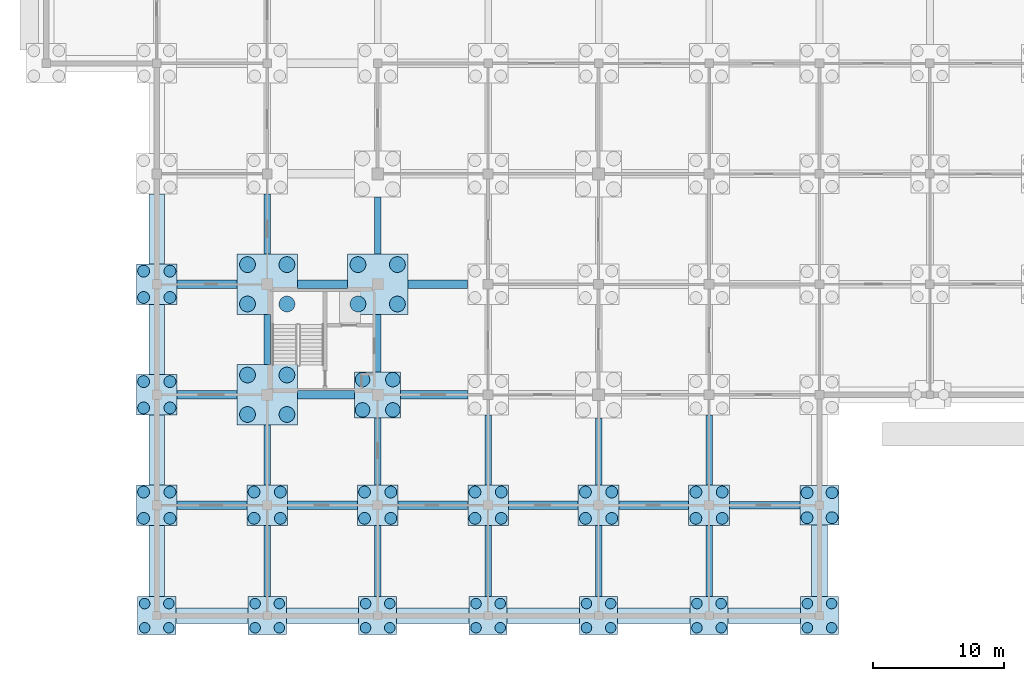
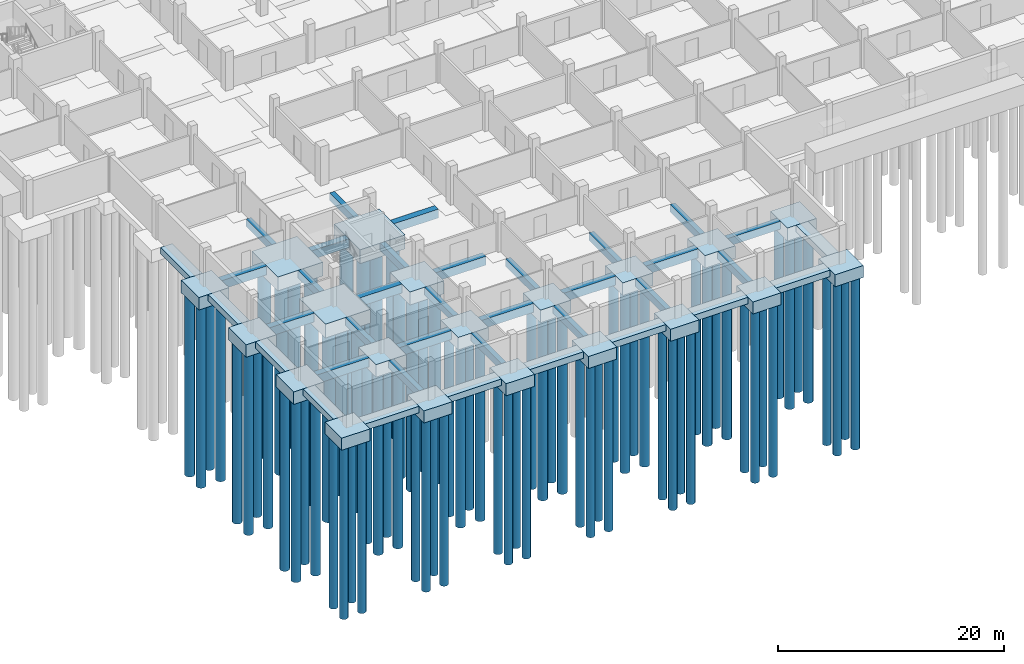
# One storey, part 1 of 43: 80 piles, 57 footings.
"""IFC4 building model written with IfcOpenShell, lengths in metres."""

import ifcopenshell
import ifcopenshell.guid

model = None  # the IFC model being written
_history = None  # IfcOwnerHistory: only IFC2X3 demands one
_inside = {}  # id of a spatial element -> (the spatial element, [elements in it])
_under = {}  # id of a project, library or spatial element -> (it, [spatial elements below it])
_declared = {}  # id of a project -> (the project, [libraries it declares])
_typed = {}  # id of a type object -> (the type object, [elements of that type])
_made_of = {}  # id of a material, layer set ... -> (it, [elements and type objects made of it])


def new_model(schema):
    """Start an empty IFC model of exactly this schema.

    Asked for "IFC4X3", IfcOpenShell would pick the latest addendum, in which some entities
    have other attributes; the version numbers below select the first issue.
    IFC2X3 requires an IfcOwnerHistory on every rooted entity: one is made here for all.
    """
    global model, _history
    if schema == "IFC4X3":
        model = ifcopenshell.file(schema_version=(4, 3, 0, 0))
    else:
        model = ifcopenshell.file(schema=schema)
    _inside.clear()
    _under.clear()
    _declared.clear()
    _typed.clear()
    _made_of.clear()
    _history = None
    if model.schema == "IFC2X3":
        org = make("IfcOrganization", Name="unknown")
        user = make(
            "IfcPersonAndOrganization",
            ThePerson=make("IfcPerson", FamilyName="unknown"),
            TheOrganization=org,
        )
        app = make(
            "IfcApplication",
            ApplicationDeveloper=org,
            Version="unknown",
            ApplicationFullName="unknown",
            ApplicationIdentifier="unknown",
        )
        _history = make(
            "IfcOwnerHistory",
            OwningUser=user,
            OwningApplication=app,
            ChangeAction="ADDED",
            CreationDate=0,
        )
    return model


def make(cls, **values):
    """One entity of the class cls with the attributes given. An attribute that is None is left unset."""
    return model.create_entity(
        cls, **{name: value for name, value in values.items() if value is not None}
    )


def rooted(cls, **values):
    """An entity with a GlobalId (a new one), such as an element, a storey or a relation."""
    return make(cls, GlobalId=ifcopenshell.guid.new(), OwnerHistory=_history, **values)


def si_unit(unit_type, name, prefix=None):
    """IfcSIUnit, for example si_unit("LENGTHUNIT", "METRE", prefix="MILLI")."""
    return make("IfcSIUnit", UnitType=unit_type, Prefix=prefix, Name=name)


def assignment(units):
    """IfcUnitAssignment: the units of a project."""
    return None if units is None else make("IfcUnitAssignment", Units=units)


def point(xyz):
    """IfcCartesianPoint."""
    return None if xyz is None else make("IfcCartesianPoint", Coordinates=xyz)


def direction(xyz):
    """IfcDirection."""
    return None if xyz is None else make("IfcDirection", DirectionRatios=xyz)


def frame(location, z_axis=None, x_axis=None):
    """IfcAxis2Placement3D, a coordinate frame: its origin and axes. An axis left out is left unset."""
    return make(
        "IfcAxis2Placement3D",
        Location=point(location),
        Axis=direction(z_axis),
        RefDirection=direction(x_axis),
    )


def frame_2d(location, x_axis=None):
    """IfcAxis2Placement2D, a coordinate frame in the plane: its origin and x axis."""
    return make(
        "IfcAxis2Placement2D", Location=point(location), RefDirection=direction(x_axis)
    )


def origin():
    """The frame at (0, 0, 0) with its axes left unset."""
    return frame((0.0, 0.0, 0.0))


def origin_2d():
    """The frame at (0, 0) in the plane with its x axis left unset."""
    return frame_2d((0.0, 0.0))


def place(relative_to, where):
    """IfcLocalPlacement: puts the frame where relative to a parent placement (None: the world)."""
    return make(
        "IfcLocalPlacement", PlacementRelTo=relative_to, RelativePlacement=where
    )


def context(
    kind, dimensions, precision=None, world=None, true_north=None, identifier=None
):
    """IfcGeometricRepresentationContext, for example the 3D "Model" context."""
    return make(
        "IfcGeometricRepresentationContext",
        ContextIdentifier=identifier,
        ContextType=kind,
        CoordinateSpaceDimension=dimensions,
        Precision=precision,
        WorldCoordinateSystem=world,
        TrueNorth=true_north,
    )


def subcontext(parent, identifier, kind, view, scale=None):
    """IfcGeometricRepresentationSubContext, for example "Body" below "Model"."""
    return make(
        "IfcGeometricRepresentationSubContext",
        ContextIdentifier=identifier,
        ContextType=kind,
        ParentContext=parent,
        TargetScale=scale,
        TargetView=view,
    )


def project(units=None, contexts=None):
    """IfcProject with its units and contexts."""
    return rooted(
        "IfcProject",
        Name="project",
        RepresentationContexts=contexts,
        UnitsInContext=assignment(units),
    )


def spatial(cls, under=None, at=None, **own):
    """A site, building, storey or space (cls), placed at a placement, below another one or the project."""
    s = rooted(cls, ObjectPlacement=at, **own)
    if under is not None:
        _under.setdefault(under.id(), (under, []))[1].append(s)
    return s


def profile(cls, at=None, kind="AREA", **sizes):
    """A parametric profile (cls). Its sizes go by their IFC names, for example OverallWidth=200.0."""
    return make(cls, ProfileType=kind, Position=at, **sizes)


def rectangle(**sizes):
    """IfcRectangleProfileDef."""
    return profile("IfcRectangleProfileDef", **sizes)


def circle(**sizes):
    """IfcCircleProfileDef."""
    return profile("IfcCircleProfileDef", **sizes)


def extrude(swept, where, along, depth):
    """IfcExtrudedAreaSolid: the profile swept, set in the frame where, extruded along a direction by depth."""
    return make(
        "IfcExtrudedAreaSolid",
        SweptArea=swept,
        Position=where,
        ExtrudedDirection=direction(along),
        Depth=depth,
    )


def shape(context_of_items, identifier, shape_type, items):
    """IfcShapeRepresentation: the items that make up one representation, for example the "Body"."""
    return make(
        "IfcShapeRepresentation",
        ContextOfItems=context_of_items,
        RepresentationIdentifier=identifier,
        RepresentationType=shape_type,
        Items=items,
    )


def material(Name=None, Category=None):
    """IfcMaterial."""
    return make("IfcMaterial", Name=Name, Category=Category)


def material_profile(
    of_material, cross_section, Name=None, Category=None, Priority=None
):
    """IfcMaterialProfile: a cross section and its material."""
    return make(
        "IfcMaterialProfile",
        Name=Name,
        Material=of_material,
        Profile=cross_section,
        Priority=Priority,
        Category=Category,
    )


def profile_set(profiles, Name=None, composite=None):
    """IfcMaterialProfileSet."""
    return make(
        "IfcMaterialProfileSet",
        Name=Name,
        MaterialProfiles=profiles,
        CompositeProfile=composite,
    )


def made_of(thing, what):
    """Note that an element or type object is made of a material, layer set ...; save() writes the relation."""
    if what is not None:
        _made_of.setdefault(what.id(), (what, []))[1].append(thing)
    return thing


def type_object(cls, material=None, **own):
    """A type object (cls), such as IfcWallType, which elements share."""
    return made_of(rooted(cls, **own), material)


def element(
    cls,
    number,
    at=None,
    inside=None,
    cuts=None,
    type_object=None,
    material=None,
    context=None,
    identifier="Body",
    shape_type=None,
    held_by="IfcProductDefinitionShape",
    body=None,
    shapes=None,
    **own,
):
    """One element of the class cls, such as IfcWall. Its Tag is "e" and its number.

    at: its placement. inside: the storey or other place that contains it. cuts: it is an
    opening in that element (IfcRelVoidsElement). A single representation is given by context,
    identifier, shape_type and body (its items); several are given by shapes. held_by: the class
    of the entity that holds the representations. save() writes the other relations.
    """
    e = rooted(cls, Tag="e%d" % number, ObjectPlacement=at, **own)
    if body is not None:
        shapes = [shape(context, identifier, shape_type, body)]
    if shapes is not None:
        e.Representation = make(held_by, Representations=shapes)
    if inside is not None:
        _inside.setdefault(inside.id(), (inside, []))[1].append(e)
    if cuts is not None:
        rooted(
            "IfcRelVoidsElement", RelatingBuildingElement=cuts, RelatedOpeningElement=e
        )
    if type_object is not None:
        _typed.setdefault(type_object.id(), (type_object, []))[1].append(e)
    return made_of(e, material)


def aggregate(whole, parts):
    """IfcRelAggregates: a whole, such as a stair, and the parts it consists of."""
    return rooted("IfcRelAggregates", RelatingObject=whole, RelatedObjects=parts)


def save(model, path):
    """Write the relations noted so far, then the file.

    IfcRelAggregates (storeys below a building ...), IfcRelContainedInSpatialStructure (elements
    in a storey), IfcRelDefinesByType, IfcRelAssociatesMaterial and IfcRelDeclares: one each for
    every whole, place, type object, material and project.
    """
    for whole, parts in _under.values():
        aggregate(whole, parts)
    for where, things in _inside.values():
        rooted(
            "IfcRelContainedInSpatialStructure",
            RelatedElements=things,
            RelatingStructure=where,
        )
    for kind, things in _typed.values():
        rooted("IfcRelDefinesByType", RelatedObjects=things, RelatingType=kind)
    for what, things in _made_of.values():
        rooted("IfcRelAssociatesMaterial", RelatedObjects=things, RelatingMaterial=what)
    for by, libraries in _declared.values():
        rooted("IfcRelDeclares", RelatingContext=by, RelatedDefinitions=libraries)
    model.write(path)


model = new_model("IFC4")

# Units and contexts
model_context = context("Model", 3, precision=1e-05, world=origin(), true_north=direction((0.0, 1.0)))
body_context = subcontext(model_context, "Body", "Model", "MODEL_VIEW")
ifc_project = project(units=[si_unit("LENGTHUNIT", "METRE"), si_unit("AREAUNIT", "SQUARE_METRE"), si_unit("VOLUMEUNIT", "CUBIC_METRE"), si_unit("PLANEANGLEUNIT", "RADIAN"), si_unit("MASSUNIT", "GRAM", prefix="KILO")], contexts=[model_context])

# Site, building, storey
site_placement = place(None, origin())
site = spatial("IfcSite", under=ifc_project, at=site_placement, CompositionType="ELEMENT")
building_placement = place(site_placement, origin())
building = spatial("IfcBuilding", under=site, at=building_placement, Name="Varnapada Polytechnic", CompositionType="ELEMENT")
storey_placement = place(building_placement, frame((0.0, 0.0, -4.199951171875)))
storey = spatial("IfcBuildingStorey", under=building, at=storey_placement, Name="B1", CompositionType="ELEMENT", Elevation=-4.199951171875)

# Piles
ifc_material = material(Name="Concrete C40/50", Category="concrete")
ifc_material_profile_1 = material_profile(ifc_material, circle(Radius=0.550048828125, at=origin_2d()), Name="BP 1100")
ifc_profile_set_1 = profile_set([ifc_material_profile_1], Name="Concrete C40/50")
pile_type_1 = type_object("IfcPileType", Name="Bored Pile BP 1100", PredefinedType="BORED", material=ifc_profile_set_1)
for number, where, z_axis, x_axis, name in (
    (1, (24.050048828125, 15.64990234375, -1.300048828125), (0.0, 0.0, -1.0), (1.0, 0.0, 0.0), "Bored pile P-04 under CAP-03-02 (1)"),
    (2, (26.35009765625, 15.64990234375, -1.300048828125), (0.0, 0.0, -1.0), (1.0, 0.0, 0.0), "Bored pile P-04 under CAP-03-02 (2)"),
    (3, (24.050048828125, 17.949951171875, -1.300048828125), (0.0, 0.0, -1.0), (1.0, 0.0, 0.0), "Bored pile P-04 under CAP-03-02 (3)"),
    (4, (26.35009765625, 17.949951171875, -1.300048828125), (0.0, 0.0, -1.0), (1.0, 0.0, 0.0), "Bored pile P-04 under CAP-03-02 (4)"),
):
    element("IfcPile", number, at=place(storey_placement, frame(where, z_axis=z_axis, x_axis=x_axis)), inside=storey, type_object=pile_type_1, Name=name, PredefinedType="BORED", context=body_context, shape_type="SweptSolid", body=[
        extrude(circle(Radius=0.550048828125, at=origin_2d()), origin(), (0.0, 0.0, 1.0), 20.5),
    ])
ifc_material_profile_2 = material_profile(ifc_material, circle(Radius=0.60009765625, at=origin_2d()), Name="BP 1200")
ifc_profile_set_2 = profile_set([ifc_material_profile_2], Name="Concrete C40/50")
pile_type_2 = type_object("IfcPileType", Name="Bored Pile BP 1200", PredefinedType="BORED", material=ifc_profile_set_2)
for number, where, z_axis, x_axis, name in (
    (5, (15.300048828125, 15.300048828125, -1.400146484375), (0.0, 0.0, -1.0), (1.0, 0.0, 0.0), "Bored pile P-06 under CAP-02-02 (1)"),
    (6, (18.300048828125, 15.300048828125, -1.400146484375), (0.0, 0.0, -1.0), (1.0, 0.0, 0.0), "Bored pile P-06 under CAP-02-02 (2)"),
    (7, (15.300048828125, 18.300048828125, -1.400146484375), (0.0, 0.0, -1.0), (1.0, 0.0, 0.0), "Bored pile P-06 under CAP-02-02 (3)"),
    (8, (18.300048828125, 18.300048828125, -1.400146484375), (0.0, 0.0, -1.0), (1.0, 0.0, 0.0), "Bored pile P-06 under CAP-02-02 (4)"),
    (9, (15.300048828125, 23.699951171875, -1.400146484375), (0.0, 0.0, -1.0), (1.0, 0.0, 0.0), "Bored pile P-06 under CAP-02-03 (1)"),
    (10, (18.300048828125, 23.699951171875, -1.400146484375), (0.0, 0.0, -1.0), (1.0, 0.0, 0.0), "Bored pile P-06 under CAP-02-03 (2)"),
    (11, (15.300048828125, 26.699951171875, -1.400146484375), (0.0, 0.0, -1.0), (1.0, 0.0, 0.0), "Bored pile P-06 under CAP-02-03 (3)"),
    (12, (18.300048828125, 26.699951171875, -1.400146484375), (0.0, 0.0, -1.0), (1.0, 0.0, 0.0), "Bored pile P-06 under CAP-02-03 (4)"),
    (13, (23.699951171875, 23.699951171875, -1.400146484375), (0.0, 0.0, -1.0), (1.0, 0.0, 0.0), "Bored pile P-06 under CAP-03-03 (1)"),
    (14, (26.699951171875, 23.699951171875, -1.400146484375), (0.0, 0.0, -1.0), (1.0, 0.0, 0.0), "Bored pile P-06 under CAP-03-03 (2)"),
    (15, (23.699951171875, 26.699951171875, -1.400146484375), (0.0, 0.0, -1.0), (1.0, 0.0, 0.0), "Bored pile P-06 under CAP-03-03 (3)"),
    (16, (26.699951171875, 26.699951171875, -1.400146484375), (0.0, 0.0, -1.0), (1.0, 0.0, 0.0), "Bored pile P-06 under CAP-03-03 (4)"),
):
    element("IfcPile", number, at=place(storey_placement, frame(where, z_axis=z_axis, x_axis=x_axis)), inside=storey, type_object=pile_type_2, Name=name, PredefinedType="BORED", context=body_context, shape_type="SweptSolid", body=[
        extrude(circle(Radius=0.60009765625, at=origin_2d()), origin(), (0.0, 0.0, 1.0), 20.39990234375),
    ])
ifc_material_profile_3 = material_profile(ifc_material, circle(Radius=0.39990234375, at=origin_2d()), Name="BP 800")
ifc_profile_set_3 = profile_set([ifc_material_profile_3], Name="Concrete C40/50")
pile_type_3 = type_object("IfcPileType", Name="Bored Pile BP 800", PredefinedType="BORED", material=ifc_profile_set_3)
for number, where, z_axis, x_axis, name in (
    (17, (7.47998046875, -0.919921875, -1.199951171875), (0.0, 0.0, -1.0), (1.0, 0.0, 0.0), "Bored pile P-03 under CAP-01-00 (1)"),
    (18, (9.320068359375, -0.919921875, -1.199951171875), (0.0, 0.0, -1.0), (1.0, 0.0, 0.0), "Bored pile P-03 under CAP-01-00 (2)"),
    (19, (7.47998046875, 0.919921875, -1.199951171875), (0.0, 0.0, -1.0), (1.0, 0.0, 0.0), "Bored pile P-03 under CAP-01-00 (3)"),
    (20, (9.320068359375, 0.919921875, -1.199951171875), (0.0, 0.0, -1.0), (1.0, 0.0, 0.0), "Bored pile P-03 under CAP-01-00 (4)"),
    (21, (15.8798828125, -0.919921875, -1.199951171875), (0.0, 0.0, -1.0), (1.0, 0.0, 0.0), "Bored pile P-03 under CAP-02-00 (1)"),
    (22, (17.719970703125, -0.919921875, -1.199951171875), (0.0, 0.0, -1.0), (1.0, 0.0, 0.0), "Bored pile P-03 under CAP-02-00 (2)"),
    (23, (15.8798828125, 0.919921875, -1.199951171875), (0.0, 0.0, -1.0), (1.0, 0.0, 0.0), "Bored pile P-03 under CAP-02-00 (3)"),
    (24, (17.719970703125, 0.919921875, -1.199951171875), (0.0, 0.0, -1.0), (1.0, 0.0, 0.0), "Bored pile P-03 under CAP-02-00 (4)"),
    (25, (24.280029296875, -0.919921875, -1.199951171875), (0.0, 0.0, -1.0), (1.0, 0.0, 0.0), "Bored pile P-03 under CAP-03-00 (1)"),
    (26, (26.1201171875, -0.919921875, -1.199951171875), (0.0, 0.0, -1.0), (1.0, 0.0, 0.0), "Bored pile P-03 under CAP-03-00 (2)"),
    (27, (24.280029296875, 0.919921875, -1.199951171875), (0.0, 0.0, -1.0), (1.0, 0.0, 0.0), "Bored pile P-03 under CAP-03-00 (3)"),
    (28, (26.1201171875, 0.919921875, -1.199951171875), (0.0, 0.0, -1.0), (1.0, 0.0, 0.0), "Bored pile P-03 under CAP-03-00 (4)"),
    (29, (32.679931640625, -0.919921875, -1.199951171875), (0.0, 0.0, -1.0), (1.0, 0.0, 0.0), "Bored pile P-03 under CAP-04-00 (1)"),
    (30, (34.52001953125, -0.919921875, -1.199951171875), (0.0, 0.0, -1.0), (1.0, 0.0, 0.0), "Bored pile P-03 under CAP-04-00 (2)"),
    (31, (32.679931640625, 0.919921875, -1.199951171875), (0.0, 0.0, -1.0), (1.0, 0.0, 0.0), "Bored pile P-03 under CAP-04-00 (3)"),
    (32, (34.52001953125, 0.919921875, -1.199951171875), (0.0, 0.0, -1.0), (1.0, 0.0, 0.0), "Bored pile P-03 under CAP-04-00 (4)"),
    (33, (41.080078125, -0.919921875, -1.199951171875), (0.0, 0.0, -1.0), (1.0, 0.0, 0.0), "Bored pile P-03 under CAP-05-00 (1)"),
    (34, (42.919921875, -0.919921875, -1.199951171875), (0.0, 0.0, -1.0), (1.0, 0.0, 0.0), "Bored pile P-03 under CAP-05-00 (2)"),
    (35, (41.080078125, 0.919921875, -1.199951171875), (0.0, 0.0, -1.0), (1.0, 0.0, 0.0), "Bored pile P-03 under CAP-05-00 (3)"),
    (36, (42.919921875, 0.919921875, -1.199951171875), (0.0, 0.0, -1.0), (1.0, 0.0, 0.0), "Bored pile P-03 under CAP-05-00 (4)"),
    (37, (49.47998046875, -0.919921875, -1.199951171875), (0.0, 0.0, -1.0), (1.0, 0.0, 0.0), "Bored pile P-03 under CAP-06-00 (1)"),
    (38, (51.320068359375, -0.919921875, -1.199951171875), (0.0, 0.0, -1.0), (1.0, 0.0, 0.0), "Bored pile P-03 under CAP-06-00 (2)"),
    (39, (49.47998046875, 0.919921875, -1.199951171875), (0.0, 0.0, -1.0), (1.0, 0.0, 0.0), "Bored pile P-03 under CAP-06-00 (3)"),
    (40, (51.320068359375, 0.919921875, -1.199951171875), (0.0, 0.0, -1.0), (1.0, 0.0, 0.0), "Bored pile P-03 under CAP-06-00 (4)"),
    (41, (57.8798828125, -0.919921875, -1.199951171875), (0.0, 0.0, -1.0), (1.0, 0.0, 0.0), "Bored pile P-03 under CAP-07-00 (1)"),
    (42, (59.719970703125, -0.919921875, -1.199951171875), (0.0, 0.0, -1.0), (1.0, 0.0, 0.0), "Bored pile P-03 under CAP-07-00 (2)"),
    (43, (57.8798828125, 0.919921875, -1.199951171875), (0.0, 0.0, -1.0), (1.0, 0.0, 0.0), "Bored pile P-03 under CAP-07-00 (3)"),
    (44, (59.719970703125, 0.919921875, -1.199951171875), (0.0, 0.0, -1.0), (1.0, 0.0, 0.0), "Bored pile P-03 under CAP-07-00 (4)"),
):
    element("IfcPile", number, at=place(storey_placement, frame(where, z_axis=z_axis, x_axis=x_axis)), inside=storey, type_object=pile_type_3, Name=name, PredefinedType="BORED", context=body_context, shape_type="SweptSolid", body=[
        extrude(circle(Radius=0.39990234375, at=origin_2d()), origin(), (0.0, 0.0, 1.0), 18.60009765625),
    ])
ifc_material_profile_4 = material_profile(ifc_material, circle(Radius=0.449951171875, at=origin_2d()), Name="BP 900")
ifc_profile_set_4 = profile_set([ifc_material_profile_4], Name="Concrete C40/50")
pile_type_4 = type_object("IfcPileType", Name="Bored Pile BP 900", PredefinedType="BORED", material=ifc_profile_set_4)
for number, where, z_axis, x_axis, name in (
    (45, (7.39990234375, 7.39990234375, -1.25), (0.0, 0.0, -1.0), (1.0, 0.0, 0.0), "Bored pile P-02 under CAP-01-01 (1)"),
    (46, (9.39990234375, 7.39990234375, -1.25), (0.0, 0.0, -1.0), (1.0, 0.0, 0.0), "Bored pile P-02 under CAP-01-01 (2)"),
    (47, (7.39990234375, 9.39990234375, -1.25), (0.0, 0.0, -1.0), (1.0, 0.0, 0.0), "Bored pile P-02 under CAP-01-01 (3)"),
    (48, (9.39990234375, 9.39990234375, -1.25), (0.0, 0.0, -1.0), (1.0, 0.0, 0.0), "Bored pile P-02 under CAP-01-01 (4)"),
    (49, (7.39990234375, 15.800048828125, -1.25), (0.0, 0.0, -1.0), (1.0, 0.0, 0.0), "Bored pile P-02 under CAP-01-02 (1)"),
    (50, (9.39990234375, 15.800048828125, -1.25), (0.0, 0.0, -1.0), (1.0, 0.0, 0.0), "Bored pile P-02 under CAP-01-02 (2)"),
    (51, (7.39990234375, 17.800048828125, -1.25), (0.0, 0.0, -1.0), (1.0, 0.0, 0.0), "Bored pile P-02 under CAP-01-02 (3)"),
    (52, (9.39990234375, 17.800048828125, -1.25), (0.0, 0.0, -1.0), (1.0, 0.0, 0.0), "Bored pile P-02 under CAP-01-02 (4)"),
    (53, (7.39990234375, 24.199951171875, -1.25), (0.0, 0.0, -1.0), (1.0, 0.0, 0.0), "Bored pile P-02 under CAP-01-03 (1)"),
    (54, (9.39990234375, 24.199951171875, -1.25), (0.0, 0.0, -1.0), (1.0, 0.0, 0.0), "Bored pile P-02 under CAP-01-03 (2)"),
    (55, (7.39990234375, 26.199951171875, -1.25), (0.0, 0.0, -1.0), (1.0, 0.0, 0.0), "Bored pile P-02 under CAP-01-03 (3)"),
    (56, (9.39990234375, 26.199951171875, -1.25), (0.0, 0.0, -1.0), (1.0, 0.0, 0.0), "Bored pile P-02 under CAP-01-03 (4)"),
    (57, (15.800048828125, 7.39990234375, -1.25), (0.0, 0.0, -1.0), (1.0, 0.0, 0.0), "Bored pile P-02 under CAP-02-01 (1)"),
    (58, (17.800048828125, 7.39990234375, -1.25), (0.0, 0.0, -1.0), (1.0, 0.0, 0.0), "Bored pile P-02 under CAP-02-01 (2)"),
    (59, (15.800048828125, 9.39990234375, -1.25), (0.0, 0.0, -1.0), (1.0, 0.0, 0.0), "Bored pile P-02 under CAP-02-01 (3)"),
    (60, (17.800048828125, 9.39990234375, -1.25), (0.0, 0.0, -1.0), (1.0, 0.0, 0.0), "Bored pile P-02 under CAP-02-01 (4)"),
    (61, (24.199951171875, 7.39990234375, -1.25), (0.0, 0.0, -1.0), (1.0, 0.0, 0.0), "Bored pile P-02 under CAP-03-01 (1)"),
    (62, (26.199951171875, 7.39990234375, -1.25), (0.0, 0.0, -1.0), (1.0, 0.0, 0.0), "Bored pile P-02 under CAP-03-01 (2)"),
    (63, (24.199951171875, 9.39990234375, -1.25), (0.0, 0.0, -1.0), (1.0, 0.0, 0.0), "Bored pile P-02 under CAP-03-01 (3)"),
    (64, (26.199951171875, 9.39990234375, -1.25), (0.0, 0.0, -1.0), (1.0, 0.0, 0.0), "Bored pile P-02 under CAP-03-01 (4)"),
    (65, (32.60009765625, 7.39990234375, -1.25), (0.0, 0.0, -1.0), (1.0, 0.0, 0.0), "Bored pile P-02 under CAP-04-01 (1)"),
    (66, (34.60009765625, 7.39990234375, -1.25), (0.0, 0.0, -1.0), (1.0, 0.0, 0.0), "Bored pile P-02 under CAP-04-01 (2)"),
    (67, (32.60009765625, 9.39990234375, -1.25), (0.0, 0.0, -1.0), (1.0, 0.0, 0.0), "Bored pile P-02 under CAP-04-01 (3)"),
    (68, (34.60009765625, 9.39990234375, -1.25), (0.0, 0.0, -1.0), (1.0, 0.0, 0.0), "Bored pile P-02 under CAP-04-01 (4)"),
    (69, (41.0, 7.39990234375, -1.25), (0.0, 0.0, -1.0), (1.0, 0.0, 0.0), "Bored pile P-02 under CAP-05-01 (1)"),
    (70, (43.0, 7.39990234375, -1.25), (0.0, 0.0, -1.0), (1.0, 0.0, 0.0), "Bored pile P-02 under CAP-05-01 (2)"),
    (71, (41.0, 9.39990234375, -1.25), (0.0, 0.0, -1.0), (1.0, 0.0, 0.0), "Bored pile P-02 under CAP-05-01 (3)"),
    (72, (43.0, 9.39990234375, -1.25), (0.0, 0.0, -1.0), (1.0, 0.0, 0.0), "Bored pile P-02 under CAP-05-01 (4)"),
    (73, (49.39990234375, 7.39990234375, -1.25), (0.0, 0.0, -1.0), (1.0, 0.0, 0.0), "Bored pile P-02 under CAP-06-01 (1)"),
    (74, (51.39990234375, 7.39990234375, -1.25), (0.0, 0.0, -1.0), (1.0, 0.0, 0.0), "Bored pile P-02 under CAP-06-01 (2)"),
    (75, (49.39990234375, 9.39990234375, -1.25), (0.0, 0.0, -1.0), (1.0, 0.0, 0.0), "Bored pile P-02 under CAP-06-01 (3)"),
    (76, (51.39990234375, 9.39990234375, -1.25), (0.0, 0.0, -1.0), (1.0, 0.0, 0.0), "Bored pile P-02 under CAP-06-01 (4)"),
):
    element("IfcPile", number, at=place(storey_placement, frame(where, z_axis=z_axis, x_axis=x_axis)), inside=storey, type_object=pile_type_4, Name=name, PredefinedType="BORED", context=body_context, shape_type="SweptSolid", body=[
        extrude(circle(Radius=0.449951171875, at=origin_2d()), origin(), (0.0, 0.0, 1.0), 19.550048828125),
    ])
for number, where, z_axis, x_axis, name in (
    (77, (57.85009765625, 7.449951171875, -1.300048828125), (0.0, 0.0, -1.0), (1.0, 0.0, 0.0), "Bored pile P-02 under CAP-07-01 (1)"),
    (78, (59.75, 7.449951171875, -1.300048828125), (0.0, 0.0, -1.0), (1.0, 0.0, 0.0), "Bored pile P-02 under CAP-07-01 (2)"),
    (79, (57.85009765625, 9.35009765625, -1.300048828125), (0.0, 0.0, -1.0), (1.0, 0.0, 0.0), "Bored pile P-02 under CAP-07-01 (3)"),
    (80, (59.75, 9.35009765625, -1.300048828125), (0.0, 0.0, -1.0), (1.0, 0.0, 0.0), "Bored pile P-02 under CAP-07-01 (4)"),
):
    element("IfcPile", number, at=place(storey_placement, frame(where, z_axis=z_axis, x_axis=x_axis)), inside=storey, type_object=pile_type_4, Name=name, PredefinedType="BORED", context=body_context, shape_type="SweptSolid", body=[
        extrude(circle(Radius=0.449951171875, at=origin_2d()), origin(), (0.0, 0.0, 1.0), 18.5),
    ])

# Footings
footing_type_1 = type_object("IfcFootingType", Name="Footing GB-02", PredefinedType="FOOTING_BEAM", material=ifc_material)
footing_1_placement = place(storey_placement, frame((16.800048828125, 4.14990234375, -0.80029296875), z_axis=(0.0, 0.0, 1.0), x_axis=(0.0, 1.0, 0.0)))
element("IfcFooting", 81, at=footing_1_placement, inside=storey, type_object=footing_type_1, Name="Ground footing beam GB-02 Y 1-2", PredefinedType="FOOTING_BEAM", context=body_context, shape_type="SweptSolid", body=[
    extrude(rectangle(XDim=5.39990234375, YDim=0.5, at=origin_2d()), origin(), (0.0, 0.0, 1.0), 0.800048828125),
])
footing_2_placement = place(storey_placement, frame((16.800048828125, 12.22509765625, -0.80029296875), z_axis=(0.0, 0.0, 1.0), x_axis=(0.0, 1.0, 0.0)))
element("IfcFooting", 82, at=footing_2_placement, inside=storey, type_object=footing_type_1, Name="Ground footing beam GB-02 Y 2-3", PredefinedType="FOOTING_BEAM", context=body_context, shape_type="SweptSolid", body=[
    extrude(rectangle(XDim=4.550048828125, YDim=0.5, at=origin_2d()), origin(), (0.0, 0.0, 1.0), 0.800048828125),
])
footing_3_placement = place(storey_placement, frame((16.800048828125, 21.0, -0.80029296875), z_axis=(0.0, 0.0, 1.0), x_axis=(0.0, 1.0, 0.0)))
element("IfcFooting", 83, at=footing_3_placement, inside=storey, type_object=footing_type_1, Name="Ground footing beam GB-02 Y 3-4", PredefinedType="FOOTING_BEAM", context=body_context, shape_type="SweptSolid", body=[
    extrude(rectangle(XDim=3.800048828125, YDim=0.5, at=origin_2d()), origin(), (0.0, 0.0, 1.0), 0.800048828125),
])
footing_4_placement = place(storey_placement, frame((16.800048828125, 29.77490234375, -0.80029296875), z_axis=(0.0, 0.0, 1.0), x_axis=(0.0, 1.0, 0.0)))
element("IfcFooting", 84, at=footing_4_placement, inside=storey, type_object=footing_type_1, Name="Ground footing beam GB-02 Y 4-5", PredefinedType="FOOTING_BEAM", context=body_context, shape_type="SweptSolid", body=[
    extrude(rectangle(XDim=4.550048828125, YDim=0.5, at=origin_2d()), origin(), (0.0, 0.0, 1.0), 0.800048828125),
])
footing_5_placement = place(storey_placement, frame((25.199951171875, 4.14990234375, -0.80029296875), z_axis=(0.0, 0.0, 1.0), x_axis=(0.0, 1.0, 0.0)))
element("IfcFooting", 85, at=footing_5_placement, inside=storey, type_object=footing_type_1, Name="Ground footing beam GB-02 Y 1-2", PredefinedType="FOOTING_BEAM", context=body_context, shape_type="SweptSolid", body=[
    extrude(rectangle(XDim=5.39990234375, YDim=0.5, at=origin_2d()), origin(), (0.0, 0.0, 1.0), 0.800048828125),
])
footing_6_placement = place(storey_placement, frame((25.199951171875, 12.5, -0.80029296875), z_axis=(0.0, 0.0, 1.0), x_axis=(0.0, 1.0, 0.0)))
element("IfcFooting", 86, at=footing_6_placement, inside=storey, type_object=footing_type_1, Name="Ground footing beam GB-02 Y 2-3", PredefinedType="FOOTING_BEAM", context=body_context, shape_type="SweptSolid", body=[
    extrude(rectangle(XDim=5.10009765625, YDim=0.5, at=origin_2d()), origin(), (0.0, 0.0, 1.0), 0.800048828125),
])
for number, where, z_axis, x_axis, name in (
    (87, (25.199951171875, 20.72509765625, -0.80029296875), (0.0, 0.0, 1.0), (0.0, 1.0, 0.0), "Ground footing beam GB-02 Y 3-4"),
    (88, (25.199951171875, 29.675048828125, -0.80029296875), (0.0, 0.0, 1.0), (0.0, 1.0, 0.0), "Ground footing beam GB-02 Y 4-5"),
):
    element("IfcFooting", number, at=place(storey_placement, frame(where, z_axis=z_axis, x_axis=x_axis)), inside=storey, type_object=footing_type_1, Name=name, PredefinedType="FOOTING_BEAM", context=body_context, shape_type="SweptSolid", body=[
        extrude(rectangle(XDim=4.35009765625, YDim=0.5, at=origin_2d()), origin(), (0.0, 0.0, 1.0), 0.800048828125),
    ])
footing_7_placement = place(storey_placement, frame((33.60009765625, 4.14990234375, -0.80029296875), z_axis=(0.0, 0.0, 1.0), x_axis=(0.0, 1.0, 0.0)))
element("IfcFooting", 89, at=footing_7_placement, inside=storey, type_object=footing_type_1, Name="Ground footing beam GB-02 Y 1-2", PredefinedType="FOOTING_BEAM", context=body_context, shape_type="SweptSolid", body=[
    extrude(rectangle(XDim=5.39990234375, YDim=0.5, at=origin_2d()), origin(), (0.0, 0.0, 1.0), 0.800048828125),
])
footing_8_placement = place(storey_placement, frame((33.60009765625, 12.60009765625, -0.80029296875), z_axis=(0.0, 0.0, 1.0), x_axis=(0.0, 1.0, 0.0)))
element("IfcFooting", 90, at=footing_8_placement, inside=storey, type_object=footing_type_1, Name="Ground footing beam GB-02 Y 2-3", PredefinedType="FOOTING_BEAM", context=body_context, shape_type="SweptSolid", body=[
    extrude(rectangle(XDim=5.300048828125, YDim=0.5, at=origin_2d()), origin(), (0.0, 0.0, 1.0), 0.800048828125),
])
footing_9_placement = place(storey_placement, frame((42.0, 4.14990234375, -0.80029296875), z_axis=(0.0, 0.0, 1.0), x_axis=(0.0, 1.0, 0.0)))
element("IfcFooting", 91, at=footing_9_placement, inside=storey, type_object=footing_type_1, Name="Ground footing beam GB-02 Y 1-2", PredefinedType="FOOTING_BEAM", context=body_context, shape_type="SweptSolid", body=[
    extrude(rectangle(XDim=5.39990234375, YDim=0.5, at=origin_2d()), origin(), (0.0, 0.0, 1.0), 0.800048828125),
])
footing_10_placement = place(storey_placement, frame((42.0, 12.5, -0.80029296875), z_axis=(0.0, 0.0, 1.0), x_axis=(0.0, 1.0, 0.0)))
element("IfcFooting", 92, at=footing_10_placement, inside=storey, type_object=footing_type_1, Name="Ground footing beam GB-02 Y 2-3", PredefinedType="FOOTING_BEAM", context=body_context, shape_type="SweptSolid", body=[
    extrude(rectangle(XDim=5.10009765625, YDim=0.5, at=origin_2d()), origin(), (0.0, 0.0, 1.0), 0.800048828125),
])
footing_11_placement = place(storey_placement, frame((50.39990234375, 4.14990234375, -0.80029296875), z_axis=(0.0, 0.0, 1.0), x_axis=(0.0, 1.0, 0.0)))
element("IfcFooting", 93, at=footing_11_placement, inside=storey, type_object=footing_type_1, Name="Ground footing beam GB-02 Y 1-2", PredefinedType="FOOTING_BEAM", context=body_context, shape_type="SweptSolid", body=[
    extrude(rectangle(XDim=5.39990234375, YDim=0.5, at=origin_2d()), origin(), (0.0, 0.0, 1.0), 0.800048828125),
])
footing_12_placement = place(storey_placement, frame((50.39990234375, 12.60009765625, -0.80029296875), z_axis=(0.0, 0.0, 1.0), x_axis=(0.0, 1.0, 0.0)))
element("IfcFooting", 94, at=footing_12_placement, inside=storey, type_object=footing_type_1, Name="Ground footing beam GB-02 Y 2-3", PredefinedType="FOOTING_BEAM", context=body_context, shape_type="SweptSolid", body=[
    extrude(rectangle(XDim=5.300048828125, YDim=0.5, at=origin_2d()), origin(), (0.0, 0.0, 1.0), 0.800048828125),
])
footing_type_2 = type_object("IfcFootingType", Name="Footing GB-03", PredefinedType="FOOTING_BEAM", material=ifc_material)
footing_13_placement = place(storey_placement, frame((12.60009765625, 8.39990234375, -0.9501953125), z_axis=(0.0, 0.0, 1.0), x_axis=(1.0, 0.0, 0.0)))
element("IfcFooting", 95, at=footing_13_placement, inside=storey, type_object=footing_type_2, Name="Ground footing beam GB-03 X 2-3", PredefinedType="FOOTING_BEAM", context=body_context, shape_type="SweptSolid", body=[
    extrude(rectangle(XDim=5.300048828125, YDim=0.64990234375, at=origin_2d()), origin(), (0.0, 0.0, 1.0), 0.949951171875),
])
for number, where, z_axis, x_axis, name in (
    (96, (12.22509765625, 16.800048828125, -0.9501953125), (0.0, 0.0, 1.0), (1.0, 0.0, 0.0), "Ground footing beam GB-03 X 2-3"),
    (97, (12.22509765625, 25.199951171875, -0.9501953125), (0.0, 0.0, 1.0), (1.0, 0.0, 0.0), "Ground footing beam GB-03 X 2-3"),
):
    element("IfcFooting", number, at=place(storey_placement, frame(where, z_axis=z_axis, x_axis=x_axis)), inside=storey, type_object=footing_type_2, Name=name, PredefinedType="FOOTING_BEAM", context=body_context, shape_type="SweptSolid", body=[
        extrude(rectangle(XDim=4.550048828125, YDim=0.64990234375, at=origin_2d()), origin(), (0.0, 0.0, 1.0), 0.949951171875),
    ])
footing_14_placement = place(storey_placement, frame((21.0, 8.39990234375, -0.9501953125), z_axis=(0.0, 0.0, 1.0), x_axis=(1.0, 0.0, 0.0)))
element("IfcFooting", 98, at=footing_14_placement, inside=storey, type_object=footing_type_2, Name="Ground footing beam GB-03 X 3-4", PredefinedType="FOOTING_BEAM", context=body_context, shape_type="SweptSolid", body=[
    extrude(rectangle(XDim=5.300048828125, YDim=0.64990234375, at=origin_2d()), origin(), (0.0, 0.0, 1.0), 0.949951171875),
])
footing_15_placement = place(storey_placement, frame((21.27490234375, 16.800048828125, -0.9501953125), z_axis=(0.0, 0.0, 1.0), x_axis=(1.0, 0.0, 0.0)))
element("IfcFooting", 99, at=footing_15_placement, inside=storey, type_object=footing_type_2, Name="Ground footing beam GB-03 X 3-4", PredefinedType="FOOTING_BEAM", context=body_context, shape_type="SweptSolid", body=[
    extrude(rectangle(XDim=4.35009765625, YDim=0.64990234375, at=origin_2d()), origin(), (0.0, 0.0, 1.0), 0.949951171875),
])
footing_16_placement = place(storey_placement, frame((21.0, 25.199951171875, -0.9501953125), z_axis=(0.0, 0.0, 1.0), x_axis=(1.0, 0.0, 0.0)))
element("IfcFooting", 100, at=footing_16_placement, inside=storey, type_object=footing_type_2, Name="Ground footing beam GB-03 X 3-4", PredefinedType="FOOTING_BEAM", context=body_context, shape_type="SweptSolid", body=[
    extrude(rectangle(XDim=3.800048828125, YDim=0.64990234375, at=origin_2d()), origin(), (0.0, 0.0, 1.0), 0.949951171875),
])
footing_17_placement = place(storey_placement, frame((29.39990234375, 8.39990234375, -0.9501953125), z_axis=(0.0, 0.0, 1.0), x_axis=(1.0, 0.0, 0.0)))
element("IfcFooting", 101, at=footing_17_placement, inside=storey, type_object=footing_type_2, Name="Ground footing beam GB-03 X 4-5", PredefinedType="FOOTING_BEAM", context=body_context, shape_type="SweptSolid", body=[
    extrude(rectangle(XDim=5.300048828125, YDim=0.64990234375, at=origin_2d()), origin(), (0.0, 0.0, 1.0), 0.949951171875),
])
footing_18_placement = place(storey_placement, frame((29.5, 16.800048828125, -0.9501953125), z_axis=(0.0, 0.0, 1.0), x_axis=(1.0, 0.0, 0.0)))
element("IfcFooting", 102, at=footing_18_placement, inside=storey, type_object=footing_type_2, Name="Ground footing beam GB-03 X 4-5", PredefinedType="FOOTING_BEAM", context=body_context, shape_type="SweptSolid", body=[
    extrude(rectangle(XDim=5.10009765625, YDim=0.64990234375, at=origin_2d()), origin(), (0.0, 0.0, 1.0), 0.949951171875),
])
footing_19_placement = place(storey_placement, frame((29.77490234375, 25.199951171875, -0.9501953125), z_axis=(0.0, 0.0, 1.0), x_axis=(1.0, 0.0, 0.0)))
element("IfcFooting", 103, at=footing_19_placement, inside=storey, type_object=footing_type_2, Name="Ground footing beam GB-03 X 4-5", PredefinedType="FOOTING_BEAM", context=body_context, shape_type="SweptSolid", body=[
    extrude(rectangle(XDim=4.550048828125, YDim=0.64990234375, at=origin_2d()), origin(), (0.0, 0.0, 1.0), 0.949951171875),
])
for number, where, z_axis, x_axis, name in (
    (104, (37.800048828125, 8.39990234375, -0.9501953125), (0.0, 0.0, 1.0), (1.0, 0.0, 0.0), "Ground footing beam GB-03 X 5-6"),
    (105, (46.199951171875, 8.39990234375, -0.9501953125), (0.0, 0.0, 1.0), (1.0, 0.0, 0.0), "Ground footing beam GB-03 X 6-7"),
):
    element("IfcFooting", number, at=place(storey_placement, frame(where, z_axis=z_axis, x_axis=x_axis)), inside=storey, type_object=footing_type_2, Name=name, PredefinedType="FOOTING_BEAM", context=body_context, shape_type="SweptSolid", body=[
        extrude(rectangle(XDim=5.300048828125, YDim=0.64990234375, at=origin_2d()), origin(), (0.0, 0.0, 1.0), 0.949951171875),
    ])
footing_type_3 = type_object("IfcFootingType", Name="Footing GB-04", PredefinedType="FOOTING_BEAM", material=ifc_material)
footing_20_placement = place(storey_placement, frame((54.625, 8.39990234375, -0.85009765625), z_axis=(0.0, 0.0, 1.0), x_axis=(1.0, 0.0, 0.0)))
element("IfcFooting", 106, at=footing_20_placement, inside=storey, type_object=footing_type_3, Name="Ground footing beam GB-04 X 7-8", PredefinedType="FOOTING_BEAM", context=body_context, shape_type="SweptSolid", body=[
    extrude(rectangle(XDim=5.35009765625, YDim=0.550048828125, at=origin_2d()), origin(), (0.0, 0.0, 1.0), 0.85009765625),
])
footing_type_4 = type_object("IfcFootingType", Name="Footing PC-03", PredefinedType="PILE_CAP", material=ifc_material)
footing_21_placement = place(storey_placement, frame((58.800048828125, 8.39990234375, -1.39990234375), z_axis=(0.0, 0.0, 1.0), x_axis=(1.0, 0.0, 0.0)))
element("IfcFooting", 107, at=footing_21_placement, inside=storey, type_object=footing_type_4, Name="Pile cap PC-03 at grid 8/2", PredefinedType="PILE_CAP", context=body_context, shape_type="SweptSolid", body=[
    extrude(rectangle(XDim=3.0, YDim=3.0, at=origin_2d()), origin(), (0.0, 0.0, 1.0), 1.39990234375),
])
footing_type_5 = type_object("IfcFootingType", Name="Footing PC-07", PredefinedType="PILE_CAP", material=ifc_material)
footing_22_placement = place(storey_placement, frame((25.199951171875, 16.800048828125, -1.39990234375), z_axis=(0.0, 0.0, 1.0), x_axis=(1.0, 0.0, 0.0)))
element("IfcFooting", 108, at=footing_22_placement, inside=storey, type_object=footing_type_5, Name="Pile cap PC-07 at grid 4/3", PredefinedType="PILE_CAP", context=body_context, shape_type="SweptSolid", body=[
    extrude(rectangle(XDim=3.5, YDim=3.5, at=origin_2d()), origin(), (0.0, 0.0, 1.0), 1.39990234375),
])
footing_type_6 = type_object("IfcFootingType", Name="Footing PC-08", PredefinedType="PILE_CAP", material=ifc_material)
for number, where, z_axis, x_axis, name in (
    (109, (8.39990234375, 8.39990234375, -1.35009765625), (0.0, 0.0, 1.0), (1.0, 0.0, 0.0), "Pile cap PC-08 at grid 2/2"),
    (110, (8.39990234375, 16.800048828125, -1.35009765625), (0.0, 0.0, 1.0), (1.0, 0.0, 0.0), "Pile cap PC-08 at grid 2/3"),
    (111, (8.39990234375, 25.199951171875, -1.35009765625), (0.0, 0.0, 1.0), (1.0, 0.0, 0.0), "Pile cap PC-08 at grid 2/4"),
    (112, (16.800048828125, 8.39990234375, -1.35009765625), (0.0, 0.0, 1.0), (1.0, 0.0, 0.0), "Pile cap PC-08 at grid 3/2"),
    (113, (25.199951171875, 8.39990234375, -1.35009765625), (0.0, 0.0, 1.0), (1.0, 0.0, 0.0), "Pile cap PC-08 at grid 4/2"),
    (114, (33.60009765625, 8.39990234375, -1.35009765625), (0.0, 0.0, 1.0), (1.0, 0.0, 0.0), "Pile cap PC-08 at grid 5/2"),
    (115, (42.0, 8.39990234375, -1.35009765625), (0.0, 0.0, 1.0), (1.0, 0.0, 0.0), "Pile cap PC-08 at grid 6/2"),
    (116, (50.39990234375, 8.39990234375, -1.35009765625), (0.0, 0.0, 1.0), (1.0, 0.0, 0.0), "Pile cap PC-08 at grid 7/2"),
):
    element("IfcFooting", number, at=place(storey_placement, frame(where, z_axis=z_axis, x_axis=x_axis)), inside=storey, type_object=footing_type_6, Name=name, PredefinedType="PILE_CAP", context=body_context, shape_type="SweptSolid", body=[
        extrude(rectangle(XDim=3.10009765625, YDim=3.10009765625, at=origin_2d()), origin(), (0.0, 0.0, 1.0), 1.35009765625),
    ])
footing_type_7 = type_object("IfcFootingType", Name="Footing PC-09", PredefinedType="PILE_CAP", material=ifc_material)
for number, where, z_axis, x_axis, name in (
    (117, (8.39990234375, 0.0, -1.30029296875), (0.0, 0.0, 1.0), (1.0, 0.0, 0.0), "Pile cap PC-09 at grid 2/1"),
    (118, (16.800048828125, 0.0, -1.30029296875), (0.0, 0.0, 1.0), (1.0, 0.0, 0.0), "Pile cap PC-09 at grid 3/1"),
    (119, (25.199951171875, 0.0, -1.30029296875), (0.0, 0.0, 1.0), (1.0, 0.0, 0.0), "Pile cap PC-09 at grid 4/1"),
    (120, (33.60009765625, 0.0, -1.30029296875), (0.0, 0.0, 1.0), (1.0, 0.0, 0.0), "Pile cap PC-09 at grid 5/1"),
    (121, (42.0, 0.0, -1.30029296875), (0.0, 0.0, 1.0), (1.0, 0.0, 0.0), "Pile cap PC-09 at grid 6/1"),
    (122, (50.39990234375, 0.0, -1.30029296875), (0.0, 0.0, 1.0), (1.0, 0.0, 0.0), "Pile cap PC-09 at grid 7/1"),
    (123, (58.800048828125, 0.0, -1.30029296875), (0.0, 0.0, 1.0), (1.0, 0.0, 0.0), "Pile cap PC-09 at grid 8/1"),
):
    element("IfcFooting", number, at=place(storey_placement, frame(where, z_axis=z_axis, x_axis=x_axis)), inside=storey, type_object=footing_type_7, Name=name, PredefinedType="PILE_CAP", context=body_context, shape_type="SweptSolid", body=[
        extrude(rectangle(XDim=2.89990234375, YDim=2.89990234375, at=origin_2d()), origin(), (0.0, 0.0, 1.0), 1.300048828125),
    ])
footing_type_8 = type_object("IfcFootingType", Name="Footing PC-13", PredefinedType="PILE_CAP", material=ifc_material)
for number, where, z_axis, x_axis, name in (
    (124, (16.800048828125, 16.800048828125, -1.5), (0.0, 0.0, 1.0), (1.0, 0.0, 0.0), "Pile cap PC-13 at grid 3/3"),
    (125, (16.800048828125, 25.199951171875, -1.5), (0.0, 0.0, 1.0), (1.0, 0.0, 0.0), "Pile cap PC-13 at grid 3/4"),
    (126, (25.199951171875, 25.199951171875, -1.5), (0.0, 0.0, 1.0), (1.0, 0.0, 0.0), "Pile cap PC-13 at grid 4/4"),
):
    element("IfcFooting", number, at=place(storey_placement, frame(where, z_axis=z_axis, x_axis=x_axis)), inside=storey, type_object=footing_type_8, Name=name, PredefinedType="PILE_CAP", context=body_context, shape_type="SweptSolid", body=[
        extrude(rectangle(XDim=4.60009765625, YDim=4.60009765625, at=origin_2d()), origin(), (0.0, 0.0, 1.0), 1.5),
    ])
footing_type_9 = type_object("IfcFootingType", Name="Footing SF-01", PredefinedType="STRIP_FOOTING", material=ifc_material)
footing_23_placement = place(storey_placement, frame((12.60009765625, 0.0, -0.7001953125), z_axis=(0.0, 0.0, 1.0), x_axis=(1.0, 0.0, 0.0)))
element("IfcFooting", 127, at=footing_23_placement, inside=storey, type_object=footing_type_9, Name="Ground footing beam SF-01 X 2-3", PredefinedType="STRIP_FOOTING", context=body_context, shape_type="SweptSolid", body=[
    extrude(rectangle(XDim=5.5, YDim=1.199951171875, at=origin_2d()), origin(), (0.0, 0.0, 1.0), 0.699951171875),
])
footing_24_placement = place(storey_placement, frame((8.39990234375, 4.14990234375, -0.7001953125), z_axis=(0.0, 0.0, 1.0), x_axis=(0.0, 1.0, 0.0)))
element("IfcFooting", 128, at=footing_24_placement, inside=storey, type_object=footing_type_9, Name="Ground footing beam SF-01 Y 1-2", PredefinedType="STRIP_FOOTING", context=body_context, shape_type="SweptSolid", body=[
    extrude(rectangle(XDim=5.39990234375, YDim=1.199951171875, at=origin_2d()), origin(), (0.0, 0.0, 1.0), 0.699951171875),
])
for number, where, z_axis, x_axis, name in (
    (129, (8.39990234375, 12.60009765625, -0.7001953125), (0.0, 0.0, 1.0), (0.0, 1.0, 0.0), "Ground footing beam SF-01 Y 2-3"),
    (130, (8.39990234375, 21.0, -0.7001953125), (0.0, 0.0, 1.0), (0.0, 1.0, 0.0), "Ground footing beam SF-01 Y 3-4"),
    (131, (8.39990234375, 29.39990234375, -0.7001953125), (0.0, 0.0, 1.0), (0.0, 1.0, 0.0), "Ground footing beam SF-01 Y 4-5"),
):
    element("IfcFooting", number, at=place(storey_placement, frame(where, z_axis=z_axis, x_axis=x_axis)), inside=storey, type_object=footing_type_9, Name=name, PredefinedType="STRIP_FOOTING", context=body_context, shape_type="SweptSolid", body=[
        extrude(rectangle(XDim=5.300048828125, YDim=1.199951171875, at=origin_2d()), origin(), (0.0, 0.0, 1.0), 0.699951171875),
    ])
for number, where, z_axis, x_axis, name in (
    (132, (21.0, 0.0, -0.7001953125), (0.0, 0.0, 1.0), (1.0, 0.0, 0.0), "Ground footing beam SF-01 X 3-4"),
    (133, (29.39990234375, 0.0, -0.7001953125), (0.0, 0.0, 1.0), (1.0, 0.0, 0.0), "Ground footing beam SF-01 X 4-5"),
    (134, (37.800048828125, 0.0, -0.7001953125), (0.0, 0.0, 1.0), (1.0, 0.0, 0.0), "Ground footing beam SF-01 X 5-6"),
    (135, (46.199951171875, 0.0, -0.7001953125), (0.0, 0.0, 1.0), (1.0, 0.0, 0.0), "Ground footing beam SF-01 X 6-7"),
    (136, (54.60009765625, 0.0, -0.7001953125), (0.0, 0.0, 1.0), (1.0, 0.0, 0.0), "Ground footing beam SF-01 X 7-8"),
):
    element("IfcFooting", number, at=place(storey_placement, frame(where, z_axis=z_axis, x_axis=x_axis)), inside=storey, type_object=footing_type_9, Name=name, PredefinedType="STRIP_FOOTING", context=body_context, shape_type="SweptSolid", body=[
        extrude(rectangle(XDim=5.5, YDim=1.199951171875, at=origin_2d()), origin(), (0.0, 0.0, 1.0), 0.699951171875),
    ])
footing_25_placement = place(storey_placement, frame((58.800048828125, 4.175048828125, -0.7001953125), z_axis=(0.0, 0.0, 1.0), x_axis=(0.0, 1.0, 0.0)))
element("IfcFooting", 137, at=footing_25_placement, inside=storey, type_object=footing_type_9, Name="Ground footing beam SF-01 Y 1-2", PredefinedType="STRIP_FOOTING", context=body_context, shape_type="SweptSolid", body=[
    extrude(rectangle(XDim=5.449951171875, YDim=1.199951171875, at=origin_2d()), origin(), (0.0, 0.0, 1.0), 0.699951171875),
])

save(model, "model.ifc")
